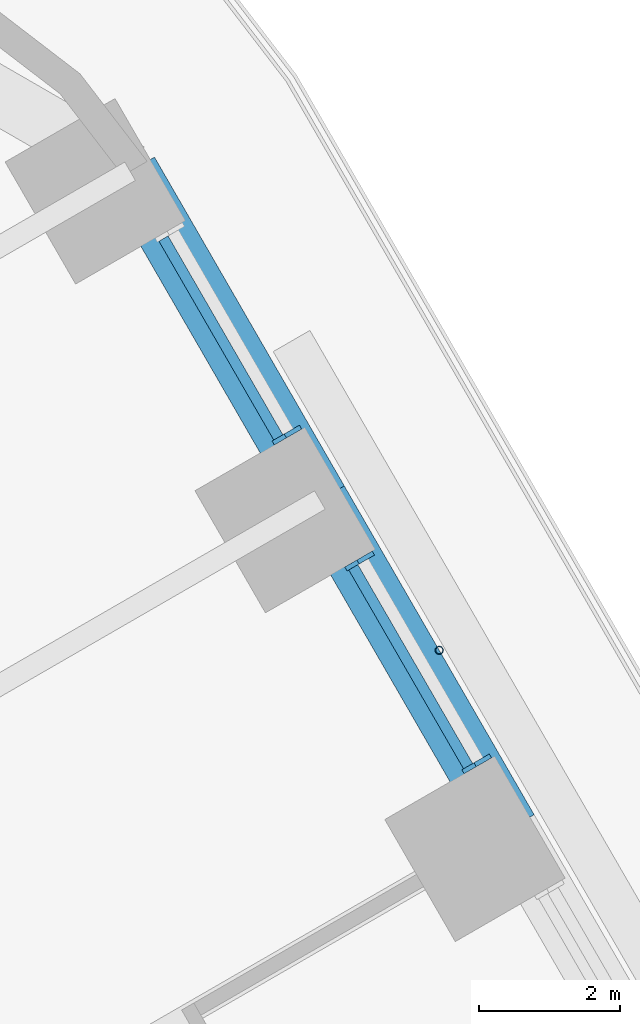
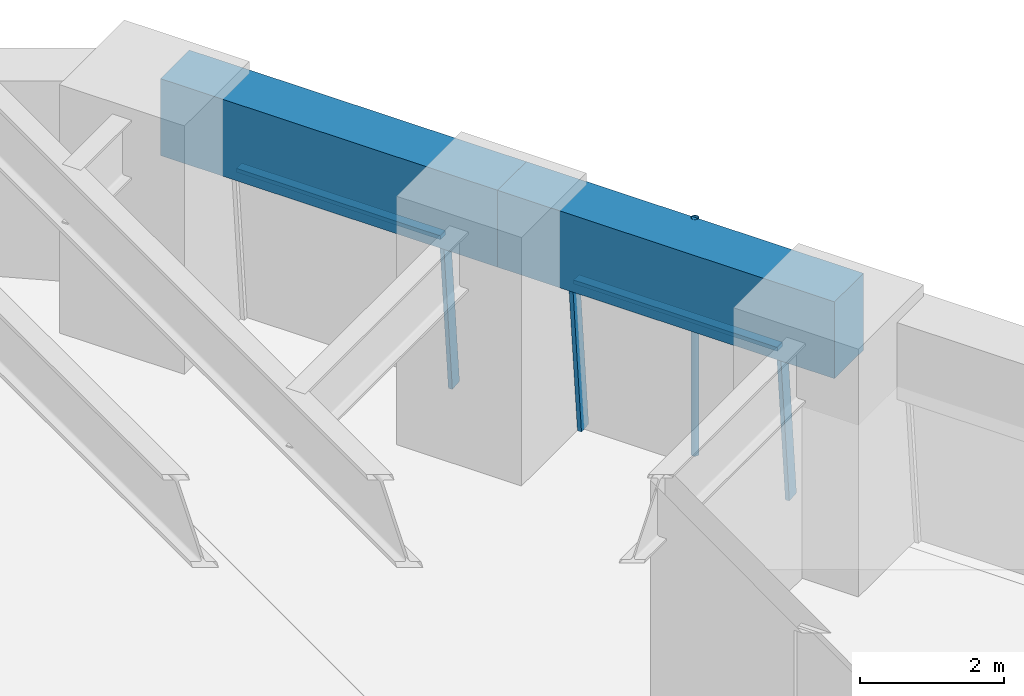
# One storey, part 11 of 23: 6 members, 2 beams, 2 elements without a shape of their own.
"""IFC4 building model written with IfcOpenShell, lengths in metres."""

from ifc_helpers import new_model, si_unit, direction, frame, origin, origin_2d, place, context, subcontext, project, spatial, rectangle, hollow_circle, extrude, material, material_profile, profile_set, type_object, element, aggregate, save


model = new_model("IFC4")

# Units and contexts
model_context = context("Model", 3, precision=1e-05, world=origin(), true_north=direction((0.0, 1.0)))
body_context = subcontext(model_context, "Body", "Model", "MODEL_VIEW")
ifc_project = project(units=[si_unit("LENGTHUNIT", "METRE"), si_unit("AREAUNIT", "SQUARE_METRE"), si_unit("VOLUMEUNIT", "CUBIC_METRE"), si_unit("PLANEANGLEUNIT", "RADIAN"), si_unit("MASSUNIT", "GRAM", prefix="KILO")], contexts=[model_context])

# Site, building, storey
site_placement = place(None, origin())
site = spatial("IfcSite", under=ifc_project, at=site_placement, CompositionType="ELEMENT")
building_placement = place(site_placement, origin())
building = spatial("IfcBuilding", under=site, at=building_placement, Name="Tarfa Lantern Tower", CompositionType="ELEMENT")
storey_placement = place(building_placement, frame((0.0, 0.0, 48.699951171875)))
storey = spatial("IfcBuildingStorey", under=building, at=storey_placement, Name="L10", CompositionType="ELEMENT", Elevation=48.699951171875)

# Curtain wall, members
ifc_material_1 = material(Name="Aluminium framed curtain wall", Category="aluminium")
curtain_wall_type = type_object("IfcCurtainWallType", Name="CW1 CANTED GLAZING LOW ZONE 2700", PredefinedType="USERDEFINED", material=ifc_material_1)
curtain_wall_1_placement = place(storey_placement, origin())
curtain_wall_1 = element("IfcCurtainWall", 1, at=curtain_wall_1_placement, inside=storey, type_object=curtain_wall_type, Name="CW1 NE L10", ObjectType="CURTAIN WALL", PredefinedType="USERDEFINED")
ifc_material_2 = material(Name="Aluminium mullion", Category="aluminium")
ifc_material_profile_1 = material_profile(ifc_material_2, rectangle(XDim=0.06494140625, YDim=0.199951171875, at=origin_2d()), Name="AL MULLION 65x200")
ifc_profile_set_1 = profile_set([ifc_material_profile_1], Name="Aluminium mullion")
member_type_1 = type_object("IfcMemberType", Name="CWM1 MULLION 65x200", PredefinedType="MULLION", material=ifc_profile_set_1)
member_1_placement = place(storey_placement, frame((26.147705078125, 22.5107421875, 0.0), z_axis=(-0.07986442134, -0.046099868913, 0.99573916077), x_axis=(0.499919672301, -0.866071776036, 0.0)))
member_1 = element("IfcMember", 2, at=member_1_placement, type_object=member_type_1, Name="CW1 mullion 1", PredefinedType="MULLION", context=body_context, shape_type="SweptSolid", body=[
    extrude(rectangle(XDim=0.06494140625, YDim=0.199951171875, at=origin_2d()), origin(), (0.0, 0.0, 1.0), 2.71142578125),
])
member_2_placement = place(storey_placement, frame((24.48583984375, 25.38916015625, 0.0), z_axis=(-0.07986442134, -0.046099868913, 0.99573916077), x_axis=(0.499919672301, -0.866071776036, 0.0)))
member_2 = element("IfcMember", 3, at=member_2_placement, type_object=member_type_1, Name="CW1 mullion 2", PredefinedType="MULLION", context=body_context, shape_type="SweptSolid", body=[
    extrude(rectangle(XDim=0.06494140625, YDim=0.199951171875, at=origin_2d()), origin(), (0.0, 0.0, 1.0), 2.71142578125),
])

# Curtain wall, member
curtain_wall_2_placement = place(storey_placement, origin())
curtain_wall_2 = element("IfcCurtainWall", 4, at=curtain_wall_2_placement, inside=storey, type_object=curtain_wall_type, Name="CW1 NE L10", ObjectType="CURTAIN WALL", PredefinedType="USERDEFINED")
member_3_placement = place(storey_placement, frame((23.453369140625, 27.177490234375, 0.0), z_axis=(-0.07986442134, -0.046099868913, 0.99573916077), x_axis=(0.499919672301, -0.866071776036, 0.0)))
member_3 = element("IfcMember", 5, at=member_3_placement, type_object=member_type_1, Name="CW1 mullion 1", PredefinedType="MULLION", context=body_context, shape_type="SweptSolid", body=[
    extrude(rectangle(XDim=0.06494140625, YDim=0.199951171875, at=origin_2d()), origin(), (0.0, 0.0, 1.0), 2.71142578125),
])

# Member
ifc_material_3 = material(Name="Aluminium transom", Category="aluminium")
ifc_material_profile_2 = material_profile(ifc_material_3, rectangle(XDim=0.14990234375, YDim=0.06494140625, at=origin_2d()), Name="AL TRANSOM 150x65")
ifc_profile_set_2 = profile_set([ifc_material_profile_2], Name="Aluminium transom")
member_type_2 = type_object("IfcMemberType", Name="CWT1 TRANSOM 150x65", PredefinedType="USERDEFINED", material=ifc_profile_set_2)
member_4_placement = place(storey_placement, frame((25.91748046875, 22.41552734375, 2.66748046875), z_axis=(-0.499966746847, 0.86604460165, 0.0), x_axis=(-0.86604460165, -0.499966746847, 0.0)))
member_4 = element("IfcMember", 6, at=member_4_placement, type_object=member_type_2, Name="CW1 transom 1.2", ObjectType="TRANSOM", PredefinedType="USERDEFINED", context=body_context, shape_type="SweptSolid", body=[
    extrude(rectangle(XDim=0.14990234375, YDim=0.06494140625, at=origin_2d()), origin(), (0.0, 0.0, 1.0), 3.258544921875),
])

aggregate(curtain_wall_1, [member_1, member_2, member_4])

member_5_placement = place(storey_placement, frame((23.22314453125, 27.082275390625, 2.66748046875), z_axis=(-0.499966746847, 0.86604460165, 0.0), x_axis=(-0.86604460165, -0.499966746847, 0.0)))
member_5 = element("IfcMember", 7, at=member_5_placement, type_object=member_type_2, Name="CW1 transom 1.2", ObjectType="TRANSOM", PredefinedType="USERDEFINED", context=body_context, shape_type="SweptSolid", body=[
    extrude(rectangle(XDim=0.14990234375, YDim=0.06494140625, at=origin_2d()), origin(), (0.0, 0.0, 1.0), 3.258544921875),
])

aggregate(curtain_wall_2, [member_3, member_5])

# Beams
ifc_material_4 = material(Name="Concrete C80/95", Category="concrete")
ifc_material_profile_3 = material_profile(ifc_material_4, rectangle(XDim=0.800048828125, YDim=1.300048828125, at=origin_2d()), Name="RC 800x1300")
ifc_profile_set_3 = profile_set([ifc_material_profile_3], Name="Concrete C80/95")
beam_type = type_object("IfcBeamType", Name="EB1 RC 800x1300", PredefinedType="SPANDREL", material=ifc_profile_set_3)
for number, where, z_axis, x_axis, name in (
    (8, (26.508056640625, 21.526611328125, 3.35009765625), (-0.499998287579, 0.866026392449, 0.0), (-0.866026392449, -0.499998287579, 0.0), "Edge beam NE4"),
    (9, (23.813720703125, 26.193359375, 3.35009765625), (-0.499998287579, 0.866026392449, 0.0), (-0.866026392449, -0.499998287579, 0.0), "Edge beam NE5"),
):
    element("IfcBeam", number, at=place(storey_placement, frame(where, z_axis=z_axis, x_axis=x_axis)), inside=storey, type_object=beam_type, Name=name, PredefinedType="SPANDREL", context=body_context, shape_type="SweptSolid", body=[
        extrude(rectangle(XDim=0.800048828125, YDim=1.300048828125, at=origin_2d()), origin(), (0.0, 0.0, 1.0), 5.388671875),
    ])

# Member
ifc_material_5 = material(Name="Steel S355", Category="steel")
ifc_material_profile_4 = material_profile(ifc_material_5, hollow_circle(Radius=0.05712890625, WallThickness=0.00634765625, at=origin_2d()), Name="CHS114.3x6.3")
ifc_profile_set_4 = profile_set([ifc_material_profile_4], Name="Steel S355")
member_type_3 = type_object("IfcMemberType", Name="TR1 GREEN WALL TRELLIS CHS114.3x6.3", PredefinedType="USERDEFINED", material=ifc_profile_set_4)
member_6_placement = place(storey_placement, frame((25.50732421875, 24.06005859375, 0.0), z_axis=(0.0, 0.0, 1.0), x_axis=(1.0, 0.0, 0.0)))
element("IfcMember", 10, at=member_6_placement, inside=storey, type_object=member_type_3, Name="Trellis post NE 2", ObjectType="TRELLIS", PredefinedType="USERDEFINED", context=body_context, shape_type="SweptSolid", body=[
    extrude(hollow_circle(Radius=0.05712890625, WallThickness=0.00634765625, at=origin_2d()), origin(), (0.0, 0.0, 1.0), 4.0),
])

save(model, "model.ifc")
